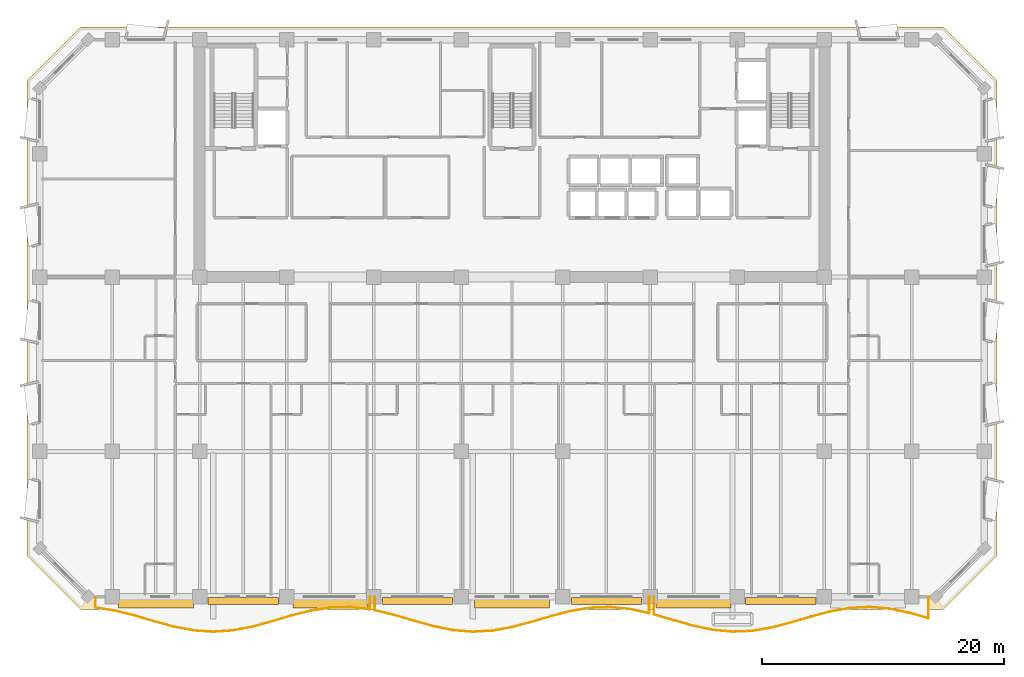
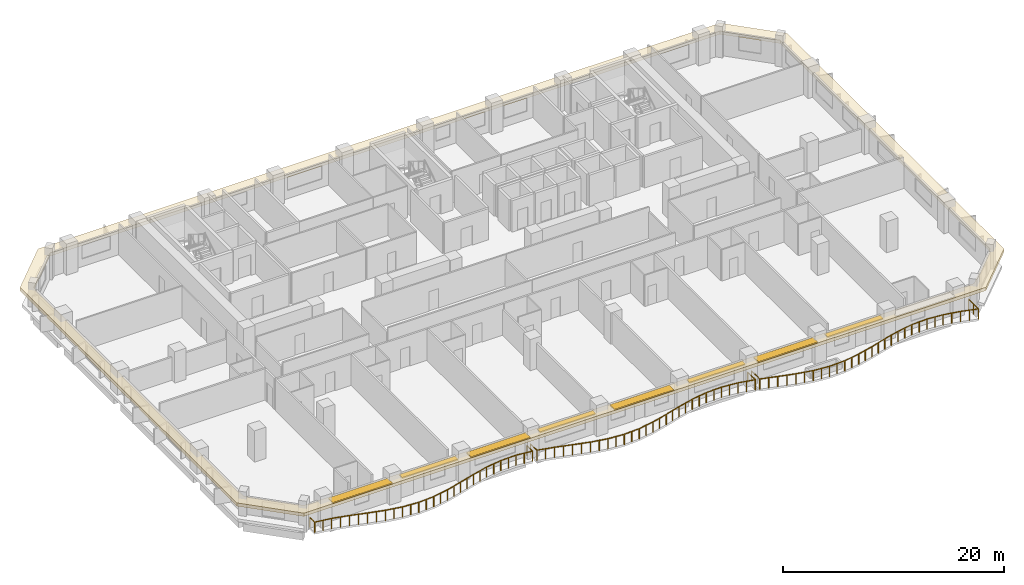
# One storey, part 11 of 15: 8 shading devices, 3 railings, 1 covering.
"""IFC4 building model written with IfcOpenShell, lengths in metres."""

from ifc_helpers import new_model, si_unit, direction, frame, origin, origin_2d, place, context, subcontext, project, spatial, polyline, rectangle, outline, extrude, material, layer, layer_set, type_object, element, save


model = new_model("IFC4")

# Units and contexts
model_context = context("Model", 3, precision=1e-05, world=origin(), true_north=direction((0.0, 1.0)))
body_context = subcontext(model_context, "Body", "Model", "MODEL_VIEW")
ifc_project = project(units=[si_unit("LENGTHUNIT", "METRE"), si_unit("AREAUNIT", "SQUARE_METRE"), si_unit("VOLUMEUNIT", "CUBIC_METRE"), si_unit("PLANEANGLEUNIT", "RADIAN"), si_unit("MASSUNIT", "GRAM", prefix="KILO")], contexts=[model_context])

# Site, building, storey
site_placement = place(None, origin())
site = spatial("IfcSite", under=ifc_project, at=site_placement, CompositionType="ELEMENT")
building_placement = place(site_placement, origin())
building = spatial("IfcBuilding", under=site, at=building_placement, Name="Kaelvorn Grand Hotel", CompositionType="ELEMENT")
storey_placement = place(building_placement, frame((0.0, 0.0, 180.949951171875)))
storey = spatial("IfcBuildingStorey", under=building, at=storey_placement, Name="L44", CompositionType="ELEMENT", Elevation=180.949951171875)

# Covering
ifc_material_1 = material(Name="Precast concrete C45/55", Category="concrete")
ifc_layer_1 = layer(ifc_material_1, 0.260009765625)
ifc_layer_set_1 = layer_set([ifc_layer_1], Name="Precast concrete C45/55")
covering_type = type_object("IfcCoveringType", Name="COV-BAND-STREAMLINE-HEAD", PredefinedType="CLADDING", material=ifc_layer_set_1)
covering_placement = place(storey_placement, frame((0.0, 0.0, 2.27001953125)))
element("IfcCovering", 1, at=covering_placement, inside=storey, type_object=covering_type, Name="L44 Streamline Moderne Wraparound Horizontal Eyebrow Band", PredefinedType="CLADDING", context=body_context, shape_type="SweptSolid", body=[
    extrude(outline(polyline([(6.389892578125, 1.949951171875), (77.610107421875, 1.949951171875), (82.050048828125, 6.389892578125), (82.050048828125, 45.610107421875), (77.610107421875, 50.050048828125), (6.389892578125, 50.050048828125), (1.949951171875, 45.610107421875), (1.949951171875, 6.389892578125), (6.389892578125, 1.949951171875)]), holes=[polyline([(7.02001953125, 3.030029296875), (76.97998046875, 3.030029296875), (80.969970703125, 7.02001953125), (80.969970703125, 44.97998046875), (76.97998046875, 48.969970703125), (7.02001953125, 48.969970703125), (3.030029296875, 44.97998046875), (3.030029296875, 7.02001953125), (7.02001953125, 3.030029296875)])]), origin(), (0.0, 0.0, 1.0), 0.360107421875),
])

# Railings
ifc_material_2 = material(Name="Stainless Steel", Category="steel")
railing_type = type_object("IfcRailingType", Name="RL-BALC-1150", PredefinedType="BALUSTRADE", material=ifc_material_2)
railing_1_placement = place(storey_placement, frame((7.60009765625, 3.0, 0.0)))
element("IfcRailing", 2, at=railing_1_placement, inside=storey, type_object=railing_type, Name="L44 Scalloped Wave Balcony Balustrade GR1-1", PredefinedType="BALUSTRADE", context=body_context, shape_type="SweptSolid", body=[
    extrude(rectangle(XDim=0.048095703125, YDim=0.048095703125, at=origin_2d()), frame((0.0, 0.0, 1.1259765625), z_axis=(0.0, -1.0, 0.0), x_axis=(1.0, 0.0, 0.0)), (0.0, 0.0, 1.0), 0.900146484375),
    extrude(rectangle(XDim=0.048095703125, YDim=0.048095703125, at=origin_2d()), frame((0.0, -0.900146484375, 1.1259765625), z_axis=(0.988307858042, -0.152471563682, 0.0), x_axis=(0.152471563682, 0.988307858042, 0.0)), (0.0, 0.0, 1.0), 1.637939453125),
    extrude(rectangle(XDim=0.048095703125, YDim=0.048095703125, at=origin_2d()), frame((1.618896484375, -1.14990234375, 1.1259765625), z_axis=(0.969728239304, -0.244186694758, 0.0), x_axis=(0.244186694758, 0.969728239304, 0.0)), (0.0, 0.0, 1.0), 1.669677734375),
    extrude(rectangle(XDim=0.048095703125, YDim=0.048095703125, at=origin_2d()), frame((3.238037109375, -1.5576171875, 1.1259765625), z_axis=(0.959259470677, -0.282526579133, 0.0), x_axis=(0.282526579133, 0.959259470677, 0.0)), (0.0, 0.0, 1.0), 1.687744140625),
    extrude(rectangle(XDim=0.048095703125, YDim=0.048095703125, at=origin_2d()), frame((4.85693359375, -2.034423828125, 1.1259765625), z_axis=(0.964679853883, -0.26342509279, 0.0), x_axis=(0.26342509279, 0.964679853883, 0.0)), (0.0, 0.0, 1.0), 1.678466796875),
    extrude(rectangle(XDim=0.048095703125, YDim=0.048095703125, at=origin_2d()), frame((6.47607421875, -2.4765625, 1.1259765625), z_axis=(0.982044449616, -0.188649672619, 0.0), x_axis=(0.188649672619, 0.982044449616, 0.0)), (0.0, 0.0, 1.0), 1.648681640625),
    extrude(rectangle(XDim=0.048095703125, YDim=0.048095703125, at=origin_2d()), frame((8.09521484375, -2.78759765625, 1.1259765625), z_axis=(0.997602472626, -0.069204816379, 0.0), x_axis=(0.069204816379, 0.997602472626, 0.0)), (0.0, 0.0, 1.0), 1.622802734375),
    extrude(rectangle(XDim=0.048095703125, YDim=0.048095703125, at=origin_2d()), frame((9.714111328125, -2.89990234375, 1.1259765625), z_axis=(0.997665093232, 0.068296132739, 0.0), x_axis=(-0.068296132739, 0.997665093232, 0.0)), (0.0, 0.0, 1.0), 1.623046875),
    extrude(rectangle(XDim=0.048095703125, YDim=0.048095703125, at=origin_2d()), frame((11.333251953125, -2.7890625, 1.1259765625), z_axis=(0.982181374251, 0.187935489132, 0.0), x_axis=(-0.187935489132, 0.982181374251, 0.0)), (0.0, 0.0, 1.0), 1.6484375),
    extrude(rectangle(XDim=0.048095703125, YDim=0.048095703125, at=origin_2d()), frame((12.952392578125, -2.479248046875, 1.1259765625), z_axis=(0.964780607215, 0.263055849471, 0.0), x_axis=(-0.263055849471, 0.964780607215, 0.0)), (0.0, 0.0, 1.0), 1.677978515625),
    extrude(rectangle(XDim=0.048095703125, YDim=0.048095703125, at=origin_2d()), frame((14.5712890625, -2.037841796875, 1.1259765625), z_axis=(0.959271015447, 0.282487378343, 0.0), x_axis=(-0.282487378343, 0.959271015447, 0.0)), (0.0, 0.0, 1.0), 1.68798828125),
    extrude(rectangle(XDim=0.048095703125, YDim=0.048095703125, at=origin_2d()), frame((16.1904296875, -1.56103515625, 1.1259765625), z_axis=(0.969580848493, 0.244771277391, 0.0), x_axis=(-0.244771277391, 0.969580848493, 0.0)), (0.0, 0.0, 1.0), 1.669677734375),
    extrude(rectangle(XDim=0.048095703125, YDim=0.048095703125, at=origin_2d()), frame((17.809326171875, -1.15234375, 1.1259765625), z_axis=(0.988176238823, 0.15332227831, 0.0), x_axis=(-0.15332227831, 0.988176238823, 0.0)), (0.0, 0.0, 1.0), 1.638427734375),
    extrude(rectangle(XDim=0.048095703125, YDim=0.048095703125, at=origin_2d()), frame((19.428466796875, -0.901123046875, 1.1259765625), z_axis=(0.999709108251, 0.024118434457, 0.0), x_axis=(-0.024118434457, 0.999709108251, 0.0)), (0.0, 0.0, 1.0), 1.61962890625),
    extrude(rectangle(XDim=0.048095703125, YDim=0.048095703125, at=origin_2d()), frame((21.047607421875, -0.862060546875, 1.1259765625), z_axis=(0.993780958286, -0.111352624341, 0.0), x_axis=(0.111352624341, 0.993780958286, 0.0)), (0.0, 0.0, 1.0), 1.62890625),
    extrude(rectangle(XDim=0.048095703125, YDim=0.048095703125, at=origin_2d()), frame((22.66650390625, -1.04345703125, 1.1259765625), z_axis=(0.0, 1.0, 0.0), x_axis=(-1.0, 0.0, 0.0)), (0.0, 0.0, 1.0), 1.04345703125),
    extrude(rectangle(XDim=0.0419921875, YDim=0.0419921875, at=origin_2d()), origin(), (0.0, 0.0, 1.0), 1.101806640625),
    extrude(rectangle(XDim=0.0419921875, YDim=0.0419921875, at=origin_2d()), frame((0.0, -0.900146484375, 0.0)), (0.0, 0.0, 1.0), 1.101806640625),
    extrude(rectangle(XDim=0.0419921875, YDim=0.0419921875, at=origin_2d()), frame((0.8095703125, -1.02490234375, 0.0)), (0.0, 0.0, 1.0), 1.101806640625),
    extrude(rectangle(XDim=0.0419921875, YDim=0.0419921875, at=origin_2d()), frame((1.618896484375, -1.14990234375, 0.0)), (0.0, 0.0, 1.0), 1.101806640625),
    extrude(rectangle(XDim=0.0419921875, YDim=0.0419921875, at=origin_2d()), frame((2.428466796875, -1.353759765625, 0.0)), (0.0, 0.0, 1.0), 1.101806640625),
    extrude(rectangle(XDim=0.0419921875, YDim=0.0419921875, at=origin_2d()), frame((3.238037109375, -1.5576171875, 0.0)), (0.0, 0.0, 1.0), 1.101806640625),
    extrude(rectangle(XDim=0.0419921875, YDim=0.0419921875, at=origin_2d()), frame((4.04736328125, -1.7958984375, 0.0)), (0.0, 0.0, 1.0), 1.101806640625),
    extrude(rectangle(XDim=0.0419921875, YDim=0.0419921875, at=origin_2d()), frame((4.85693359375, -2.034423828125, 0.0)), (0.0, 0.0, 1.0), 1.101806640625),
    extrude(rectangle(XDim=0.0419921875, YDim=0.0419921875, at=origin_2d()), frame((5.66650390625, -2.25537109375, 0.0)), (0.0, 0.0, 1.0), 1.101806640625),
    extrude(rectangle(XDim=0.0419921875, YDim=0.0419921875, at=origin_2d()), frame((6.47607421875, -2.4765625, 0.0)), (0.0, 0.0, 1.0), 1.101806640625),
    extrude(rectangle(XDim=0.0419921875, YDim=0.0419921875, at=origin_2d()), frame((7.28564453125, -2.632080078125, 0.0)), (0.0, 0.0, 1.0), 1.101806640625),
    extrude(rectangle(XDim=0.0419921875, YDim=0.0419921875, at=origin_2d()), frame((8.09521484375, -2.78759765625, 0.0)), (0.0, 0.0, 1.0), 1.101806640625),
    extrude(rectangle(XDim=0.0419921875, YDim=0.0419921875, at=origin_2d()), frame((8.90478515625, -2.84375, 0.0)), (0.0, 0.0, 1.0), 1.101806640625),
    extrude(rectangle(XDim=0.0419921875, YDim=0.0419921875, at=origin_2d()), frame((9.714111328125, -2.89990234375, 0.0)), (0.0, 0.0, 1.0), 1.101806640625),
    extrude(rectangle(XDim=0.0419921875, YDim=0.0419921875, at=origin_2d()), frame((10.523681640625, -2.844482421875, 0.0)), (0.0, 0.0, 1.0), 1.101806640625),
    extrude(rectangle(XDim=0.0419921875, YDim=0.0419921875, at=origin_2d()), frame((11.333251953125, -2.7890625, 0.0)), (0.0, 0.0, 1.0), 1.101806640625),
    extrude(rectangle(XDim=0.0419921875, YDim=0.0419921875, at=origin_2d()), frame((12.142822265625, -2.63427734375, 0.0)), (0.0, 0.0, 1.0), 1.101806640625),
    extrude(rectangle(XDim=0.0419921875, YDim=0.0419921875, at=origin_2d()), frame((12.952392578125, -2.479248046875, 0.0)), (0.0, 0.0, 1.0), 1.101806640625),
    extrude(rectangle(XDim=0.0419921875, YDim=0.0419921875, at=origin_2d()), frame((13.76171875, -2.258544921875, 0.0)), (0.0, 0.0, 1.0), 1.101806640625),
    extrude(rectangle(XDim=0.0419921875, YDim=0.0419921875, at=origin_2d()), frame((14.5712890625, -2.037841796875, 0.0)), (0.0, 0.0, 1.0), 1.101806640625),
    extrude(rectangle(XDim=0.0419921875, YDim=0.0419921875, at=origin_2d()), frame((15.380859375, -1.79931640625, 0.0)), (0.0, 0.0, 1.0), 1.101806640625),
    extrude(rectangle(XDim=0.0419921875, YDim=0.0419921875, at=origin_2d()), frame((16.1904296875, -1.56103515625, 0.0)), (0.0, 0.0, 1.0), 1.101806640625),
    extrude(rectangle(XDim=0.0419921875, YDim=0.0419921875, at=origin_2d()), frame((17.0, -1.356689453125, 0.0)), (0.0, 0.0, 1.0), 1.101806640625),
    extrude(rectangle(XDim=0.0419921875, YDim=0.0419921875, at=origin_2d()), frame((17.809326171875, -1.15234375, 0.0)), (0.0, 0.0, 1.0), 1.101806640625),
    extrude(rectangle(XDim=0.0419921875, YDim=0.0419921875, at=origin_2d()), frame((18.618896484375, -1.02685546875, 0.0)), (0.0, 0.0, 1.0), 1.101806640625),
    extrude(rectangle(XDim=0.0419921875, YDim=0.0419921875, at=origin_2d()), frame((19.428466796875, -0.901123046875, 0.0)), (0.0, 0.0, 1.0), 1.101806640625),
    extrude(rectangle(XDim=0.0419921875, YDim=0.0419921875, at=origin_2d()), frame((20.238037109375, -0.881591796875, 0.0)), (0.0, 0.0, 1.0), 1.101806640625),
    extrude(rectangle(XDim=0.0419921875, YDim=0.0419921875, at=origin_2d()), frame((21.047607421875, -0.862060546875, 0.0)), (0.0, 0.0, 1.0), 1.101806640625),
    extrude(rectangle(XDim=0.0419921875, YDim=0.0419921875, at=origin_2d()), frame((21.85693359375, -0.95263671875, 0.0)), (0.0, 0.0, 1.0), 1.101806640625),
    extrude(rectangle(XDim=0.0419921875, YDim=0.0419921875, at=origin_2d()), frame((22.66650390625, -1.04345703125, 0.0)), (0.0, 0.0, 1.0), 1.101806640625),
    extrude(rectangle(XDim=0.0419921875, YDim=0.0419921875, at=origin_2d()), frame((22.66650390625, 0.0, 0.0)), (0.0, 0.0, 1.0), 1.101806640625),
])
railing_2_placement = place(storey_placement, frame((30.666748046875, 3.0, 0.0)))
element("IfcRailing", 3, at=railing_2_placement, inside=storey, type_object=railing_type, Name="L44 Scalloped Wave Balcony Balustrade GR1-2", PredefinedType="BALUSTRADE", context=body_context, shape_type="SweptSolid", body=[
    extrude(rectangle(XDim=0.048095703125, YDim=0.048095703125, at=origin_2d()), frame((0.0, 0.0, 1.1259765625), z_axis=(0.0, -1.0, 0.0), x_axis=(1.0, 0.0, 0.0)), (0.0, 0.0, 1.0), 1.11865234375),
    extrude(rectangle(XDim=0.048095703125, YDim=0.048095703125, at=origin_2d()), frame((0.0, -1.11865234375, 1.1259765625), z_axis=(0.9713283842, -0.237741813838, 0.0), x_axis=(0.237741813838, 0.9713283842, 0.0)), (0.0, 0.0, 1.0), 1.666748046875),
    extrude(rectangle(XDim=0.048095703125, YDim=0.048095703125, at=origin_2d()), frame((1.618896484375, -1.514892578125, 1.1259765625), z_axis=(0.959623156728, -0.281288814337, 0.0), x_axis=(0.281288814337, 0.959623156728, 0.0)), (0.0, 0.0, 1.0), 1.687255859375),
    extrude(rectangle(XDim=0.048095703125, YDim=0.048095703125, at=origin_2d()), frame((3.238037109375, -1.989501953125, 1.1259765625), z_axis=(0.963526234918, -0.267613890941, 0.0), x_axis=(0.267613890941, 0.963526234918, 0.0)), (0.0, 0.0, 1.0), 1.680419921875),
    extrude(rectangle(XDim=0.048095703125, YDim=0.048095703125, at=origin_2d()), frame((4.857177734375, -2.439208984375, 1.1259765625), z_axis=(0.980215115577, -0.197935159065, 0.0), x_axis=(0.197935159065, 0.980215115577, 0.0)), (0.0, 0.0, 1.0), 1.651611328125),
    extrude(rectangle(XDim=0.048095703125, YDim=0.048095703125, at=origin_2d()), frame((6.47607421875, -2.76611328125, 1.1259765625), z_axis=(0.996652705427, -0.081751971012, 0.0), x_axis=(0.081751971012, 0.996652705427, 0.0)), (0.0, 0.0, 1.0), 1.62451171875),
    extrude(rectangle(XDim=0.048095703125, YDim=0.048095703125, at=origin_2d()), frame((8.09521484375, -2.89892578125, 1.1259765625), z_axis=(0.998455252645, 0.055561753616, 0.0), x_axis=(-0.055561753616, 0.998455252645, 0.0)), (0.0, 0.0, 1.0), 1.621337890625),
    extrude(rectangle(XDim=0.048095703125, YDim=0.048095703125, at=origin_2d()), frame((9.714111328125, -2.808837890625, 1.1259765625), z_axis=(0.983969459858, 0.178337046253, 0.0), x_axis=(-0.178337046253, 0.983969459858, 0.0)), (0.0, 0.0, 1.0), 1.6455078125),
    extrude(rectangle(XDim=0.048095703125, YDim=0.048095703125, at=origin_2d()), frame((11.333251953125, -2.515380859375, 1.1259765625), z_axis=(0.966072760568, 0.258270054959, 0.0), x_axis=(-0.258270054959, 0.966072760568, 0.0)), (0.0, 0.0, 1.0), 1.676025390625),
    extrude(rectangle(XDim=0.048095703125, YDim=0.048095703125, at=origin_2d()), frame((12.952392578125, -2.08251953125, 1.1259765625), z_axis=(0.959063249993, 0.283191953474, 0.0), x_axis=(-0.283191953474, 0.959063249993, 0.0)), (0.0, 0.0, 1.0), 1.68798828125),
    extrude(rectangle(XDim=0.048095703125, YDim=0.048095703125, at=origin_2d()), frame((14.5712890625, -1.6044921875, 1.1259765625), z_axis=(0.968082211029, 0.250632864345, 0.0), x_axis=(-0.250632864345, 0.968082211029, 0.0)), (0.0, 0.0, 1.0), 1.672607421875),
    extrude(rectangle(XDim=0.048095703125, YDim=0.048095703125, at=origin_2d()), frame((16.1904296875, -1.185302734375, 1.1259765625), z_axis=(0.986470210909, 0.163940608117, 0.0), x_axis=(-0.163940608117, 0.986470210909, 0.0)), (0.0, 0.0, 1.0), 1.64111328125),
    extrude(rectangle(XDim=0.048095703125, YDim=0.048095703125, at=origin_2d()), frame((17.809326171875, -0.916259765625, 1.1259765625), z_axis=(0.999312768097, 0.037067391579, 0.0), x_axis=(-0.037067391579, 0.999312768097, 0.0)), (0.0, 0.0, 1.0), 1.620361328125),
    extrude(rectangle(XDim=0.048095703125, YDim=0.048095703125, at=origin_2d()), frame((19.428466796875, -0.856201171875, 1.1259765625), z_axis=(0.995069818667, -0.099176892361, 0.0), x_axis=(0.099176892361, 0.995069818667, 0.0)), (0.0, 0.0, 1.0), 1.627197265625),
    extrude(rectangle(XDim=0.048095703125, YDim=0.048095703125, at=origin_2d()), frame((21.047607421875, -1.017578125, 1.1259765625), z_axis=(0.977618649076, -0.210384830679, 0.0), x_axis=(0.210384830679, 0.977618649076, 0.0)), (0.0, 0.0, 1.0), 1.656005859375),
    extrude(rectangle(XDim=0.048095703125, YDim=0.048095703125, at=origin_2d()), frame((22.66650390625, -1.365966796875, 1.1259765625), z_axis=(0.0, 1.0, 0.0), x_axis=(-1.0, 0.0, 0.0)), (0.0, 0.0, 1.0), 1.365966796875),
    extrude(rectangle(XDim=0.0419921875, YDim=0.0419921875, at=origin_2d()), origin(), (0.0, 0.0, 1.0), 1.101806640625),
    extrude(rectangle(XDim=0.0419921875, YDim=0.0419921875, at=origin_2d()), frame((0.0, -1.11865234375, 0.0)), (0.0, 0.0, 1.0), 1.101806640625),
    extrude(rectangle(XDim=0.0419921875, YDim=0.0419921875, at=origin_2d()), frame((0.8095703125, -1.31689453125, 0.0)), (0.0, 0.0, 1.0), 1.101806640625),
    extrude(rectangle(XDim=0.0419921875, YDim=0.0419921875, at=origin_2d()), frame((1.618896484375, -1.514892578125, 0.0)), (0.0, 0.0, 1.0), 1.101806640625),
    extrude(rectangle(XDim=0.0419921875, YDim=0.0419921875, at=origin_2d()), frame((2.428466796875, -1.752197265625, 0.0)), (0.0, 0.0, 1.0), 1.101806640625),
    extrude(rectangle(XDim=0.0419921875, YDim=0.0419921875, at=origin_2d()), frame((3.238037109375, -1.989501953125, 0.0)), (0.0, 0.0, 1.0), 1.101806640625),
    extrude(rectangle(XDim=0.0419921875, YDim=0.0419921875, at=origin_2d()), frame((4.047607421875, -2.21435546875, 0.0)), (0.0, 0.0, 1.0), 1.101806640625),
    extrude(rectangle(XDim=0.0419921875, YDim=0.0419921875, at=origin_2d()), frame((4.857177734375, -2.439208984375, 0.0)), (0.0, 0.0, 1.0), 1.101806640625),
    extrude(rectangle(XDim=0.0419921875, YDim=0.0419921875, at=origin_2d()), frame((5.66650390625, -2.6025390625, 0.0)), (0.0, 0.0, 1.0), 1.101806640625),
    extrude(rectangle(XDim=0.0419921875, YDim=0.0419921875, at=origin_2d()), frame((6.47607421875, -2.76611328125, 0.0)), (0.0, 0.0, 1.0), 1.101806640625),
    extrude(rectangle(XDim=0.0419921875, YDim=0.0419921875, at=origin_2d()), frame((7.28564453125, -2.83251953125, 0.0)), (0.0, 0.0, 1.0), 1.101806640625),
    extrude(rectangle(XDim=0.0419921875, YDim=0.0419921875, at=origin_2d()), frame((8.09521484375, -2.89892578125, 0.0)), (0.0, 0.0, 1.0), 1.101806640625),
    extrude(rectangle(XDim=0.0419921875, YDim=0.0419921875, at=origin_2d()), frame((8.90478515625, -2.85400390625, 0.0)), (0.0, 0.0, 1.0), 1.101806640625),
    extrude(rectangle(XDim=0.0419921875, YDim=0.0419921875, at=origin_2d()), frame((9.714111328125, -2.808837890625, 0.0)), (0.0, 0.0, 1.0), 1.101806640625),
    extrude(rectangle(XDim=0.0419921875, YDim=0.0419921875, at=origin_2d()), frame((10.523681640625, -2.662109375, 0.0)), (0.0, 0.0, 1.0), 1.101806640625),
    extrude(rectangle(XDim=0.0419921875, YDim=0.0419921875, at=origin_2d()), frame((11.333251953125, -2.515380859375, 0.0)), (0.0, 0.0, 1.0), 1.101806640625),
    extrude(rectangle(XDim=0.0419921875, YDim=0.0419921875, at=origin_2d()), frame((12.142822265625, -2.298828125, 0.0)), (0.0, 0.0, 1.0), 1.101806640625),
    extrude(rectangle(XDim=0.0419921875, YDim=0.0419921875, at=origin_2d()), frame((12.952392578125, -2.08251953125, 0.0)), (0.0, 0.0, 1.0), 1.101806640625),
    extrude(rectangle(XDim=0.0419921875, YDim=0.0419921875, at=origin_2d()), frame((13.76171875, -1.843505859375, 0.0)), (0.0, 0.0, 1.0), 1.101806640625),
    extrude(rectangle(XDim=0.0419921875, YDim=0.0419921875, at=origin_2d()), frame((14.5712890625, -1.6044921875, 0.0)), (0.0, 0.0, 1.0), 1.101806640625),
    extrude(rectangle(XDim=0.0419921875, YDim=0.0419921875, at=origin_2d()), frame((15.380859375, -1.39501953125, 0.0)), (0.0, 0.0, 1.0), 1.101806640625),
    extrude(rectangle(XDim=0.0419921875, YDim=0.0419921875, at=origin_2d()), frame((16.1904296875, -1.185302734375, 0.0)), (0.0, 0.0, 1.0), 1.101806640625),
    extrude(rectangle(XDim=0.0419921875, YDim=0.0419921875, at=origin_2d()), frame((17.0, -1.05078125, 0.0)), (0.0, 0.0, 1.0), 1.101806640625),
    extrude(rectangle(XDim=0.0419921875, YDim=0.0419921875, at=origin_2d()), frame((17.809326171875, -0.916259765625, 0.0)), (0.0, 0.0, 1.0), 1.101806640625),
    extrude(rectangle(XDim=0.0419921875, YDim=0.0419921875, at=origin_2d()), frame((18.618896484375, -0.88623046875, 0.0)), (0.0, 0.0, 1.0), 1.101806640625),
    extrude(rectangle(XDim=0.0419921875, YDim=0.0419921875, at=origin_2d()), frame((19.428466796875, -0.856201171875, 0.0)), (0.0, 0.0, 1.0), 1.101806640625),
    extrude(rectangle(XDim=0.0419921875, YDim=0.0419921875, at=origin_2d()), frame((20.238037109375, -0.93701171875, 0.0)), (0.0, 0.0, 1.0), 1.101806640625),
    extrude(rectangle(XDim=0.0419921875, YDim=0.0419921875, at=origin_2d()), frame((21.047607421875, -1.017578125, 0.0)), (0.0, 0.0, 1.0), 1.101806640625),
    extrude(rectangle(XDim=0.0419921875, YDim=0.0419921875, at=origin_2d()), frame((21.85693359375, -1.19189453125, 0.0)), (0.0, 0.0, 1.0), 1.101806640625),
    extrude(rectangle(XDim=0.0419921875, YDim=0.0419921875, at=origin_2d()), frame((22.66650390625, -1.365966796875, 0.0)), (0.0, 0.0, 1.0), 1.101806640625),
    extrude(rectangle(XDim=0.0419921875, YDim=0.0419921875, at=origin_2d()), frame((22.66650390625, 0.0, 0.0)), (0.0, 0.0, 1.0), 1.101806640625),
])
railing_3_placement = place(storey_placement, frame((53.7333984375, 3.0, 0.0)))
element("IfcRailing", 4, at=railing_3_placement, inside=storey, type_object=railing_type, Name="L44 Scalloped Wave Balcony Balustrade GR1-3", PredefinedType="BALUSTRADE", context=body_context, shape_type="SweptSolid", body=[
    extrude(rectangle(XDim=0.048095703125, YDim=0.048095703125, at=origin_2d()), frame((0.0, 0.0, 1.1259765625), z_axis=(0.0, -1.0, 0.0), x_axis=(1.0, 0.0, 0.0)), (0.0, 0.0, 1.0), 1.47265625),
    extrude(rectangle(XDim=0.048095703125, YDim=0.048095703125, at=origin_2d()), frame((0.0, -1.47265625, 1.1259765625), z_axis=(0.960079420187, -0.279727558408, 0.0), x_axis=(0.279727558408, 0.960079420187, 0.0)), (0.0, 0.0, 1.0), 1.686279296875),
    extrude(rectangle(XDim=0.048095703125, YDim=0.048095703125, at=origin_2d()), frame((1.618896484375, -1.9443359375, 1.1259765625), z_axis=(0.962508960519, -0.271249886491, 0.0), x_axis=(0.271249886491, 0.962508960519, 0.0)), (0.0, 0.0, 1.0), 1.68212890625),
    extrude(rectangle(XDim=0.048095703125, YDim=0.048095703125, at=origin_2d()), frame((3.238037109375, -2.400634765625, 1.1259765625), z_axis=(0.978407110046, -0.206687026715, 0.0), x_axis=(0.206687026715, 0.978407110046, 0.0)), (0.0, 0.0, 1.0), 1.65478515625),
    extrude(rectangle(XDim=0.048095703125, YDim=0.048095703125, at=origin_2d()), frame((4.857177734375, -2.74267578125, 1.1259765625), z_axis=(0.995559348542, -0.094135984246, 0.0), x_axis=(0.094135984246, 0.995559348542, 0.0)), (0.0, 0.0, 1.0), 1.626220703125),
    extrude(rectangle(XDim=0.048095703125, YDim=0.048095703125, at=origin_2d()), frame((6.47607421875, -2.895751953125, 1.1259765625), z_axis=(0.99909079622, 0.042633096401, 0.0), x_axis=(-0.042633096401, 0.99909079622, 0.0)), (0.0, 0.0, 1.0), 1.62060546875),
    extrude(rectangle(XDim=0.048095703125, YDim=0.048095703125, at=origin_2d()), frame((8.09521484375, -2.82666015625, 1.1259765625), z_axis=(0.985739432849, 0.168278847532, 0.0), x_axis=(-0.168278847532, 0.985739432849, 0.0)), (0.0, 0.0, 1.0), 1.642333984375),
    extrude(rectangle(XDim=0.048095703125, YDim=0.048095703125, at=origin_2d()), frame((9.714111328125, -2.55029296875, 1.1259765625), z_axis=(0.967441989908, 0.25309286075, 0.0), x_axis=(-0.25309286075, 0.967441989908, 0.0)), (0.0, 0.0, 1.0), 1.673583984375),
    extrude(rectangle(XDim=0.048095703125, YDim=0.048095703125, at=origin_2d()), frame((11.333251953125, -2.126708984375, 1.1259765625), z_axis=(0.959074846834, 0.283152676433, 0.0), x_axis=(-0.283152676433, 0.959074846834, 0.0)), (0.0, 0.0, 1.0), 1.688232421875),
    extrude(rectangle(XDim=0.048095703125, YDim=0.048095703125, at=origin_2d()), frame((12.952392578125, -1.648681640625, 1.1259765625), z_axis=(0.966642622389, 0.256128953029, 0.0), x_axis=(-0.256128953029, 0.966642622389, 0.0)), (0.0, 0.0, 1.0), 1.6748046875),
    extrude(rectangle(XDim=0.048095703125, YDim=0.048095703125, at=origin_2d()), frame((14.5712890625, -1.2197265625, 1.1259765625), z_axis=(0.984716220837, 0.174166484777, 0.0), x_axis=(-0.174166484777, 0.984716220837, 0.0)), (0.0, 0.0, 1.0), 1.644287109375),
    extrude(rectangle(XDim=0.048095703125, YDim=0.048095703125, at=origin_2d()), frame((16.1904296875, -0.933349609375, 1.1259765625), z_axis=(0.998741801419, 0.050147922176, 0.0), x_axis=(-0.050147922176, 0.998741801419, 0.0)), (0.0, 0.0, 1.0), 1.62109375),
    extrude(rectangle(XDim=0.048095703125, YDim=0.048095703125, at=origin_2d()), frame((17.8095703125, -0.85205078125, 1.1259765625), z_axis=(0.996196489167, -0.087135268243, 0.0), x_axis=(0.087135268243, 0.996196489167, 0.0)), (0.0, 0.0, 1.0), 1.625),
    extrude(rectangle(XDim=0.048095703125, YDim=0.048095703125, at=origin_2d()), frame((19.428466796875, -0.99365234375, 1.1259765625), z_axis=(0.979469052687, -0.201594580355, 0.0), x_axis=(0.201594580355, 0.979469052687, 0.0)), (0.0, 0.0, 1.0), 1.653076171875),
    extrude(rectangle(XDim=0.048095703125, YDim=0.048095703125, at=origin_2d()), frame((21.047607421875, -1.326904296875, 1.1259765625), z_axis=(0.963027343194, -0.269403667867, 0.0), x_axis=(0.269403667867, 0.963027343194, 0.0)), (0.0, 0.0, 1.0), 1.68115234375),
    extrude(rectangle(XDim=0.048095703125, YDim=0.048095703125, at=origin_2d()), frame((22.66650390625, -1.77978515625, 1.1259765625), z_axis=(0.0, 1.0, 0.0), x_axis=(-1.0, 0.0, 0.0)), (0.0, 0.0, 1.0), 1.77978515625),
    extrude(rectangle(XDim=0.0419921875, YDim=0.0419921875, at=origin_2d()), origin(), (0.0, 0.0, 1.0), 1.101806640625),
    extrude(rectangle(XDim=0.0419921875, YDim=0.0419921875, at=origin_2d()), frame((0.0, -1.47265625, 0.0)), (0.0, 0.0, 1.0), 1.101806640625),
    extrude(rectangle(XDim=0.0419921875, YDim=0.0419921875, at=origin_2d()), frame((0.8095703125, -1.70849609375, 0.0)), (0.0, 0.0, 1.0), 1.101806640625),
    extrude(rectangle(XDim=0.0419921875, YDim=0.0419921875, at=origin_2d()), frame((1.618896484375, -1.9443359375, 0.0)), (0.0, 0.0, 1.0), 1.101806640625),
    extrude(rectangle(XDim=0.0419921875, YDim=0.0419921875, at=origin_2d()), frame((2.428466796875, -2.17236328125, 0.0)), (0.0, 0.0, 1.0), 1.101806640625),
    extrude(rectangle(XDim=0.0419921875, YDim=0.0419921875, at=origin_2d()), frame((3.238037109375, -2.400634765625, 0.0)), (0.0, 0.0, 1.0), 1.101806640625),
    extrude(rectangle(XDim=0.0419921875, YDim=0.0419921875, at=origin_2d()), frame((4.047607421875, -2.57177734375, 0.0)), (0.0, 0.0, 1.0), 1.101806640625),
    extrude(rectangle(XDim=0.0419921875, YDim=0.0419921875, at=origin_2d()), frame((4.857177734375, -2.74267578125, 0.0)), (0.0, 0.0, 1.0), 1.101806640625),
    extrude(rectangle(XDim=0.0419921875, YDim=0.0419921875, at=origin_2d()), frame((5.66650390625, -2.8193359375, 0.0)), (0.0, 0.0, 1.0), 1.101806640625),
    extrude(rectangle(XDim=0.0419921875, YDim=0.0419921875, at=origin_2d()), frame((6.47607421875, -2.895751953125, 0.0)), (0.0, 0.0, 1.0), 1.101806640625),
    extrude(rectangle(XDim=0.0419921875, YDim=0.0419921875, at=origin_2d()), frame((7.28564453125, -2.861328125, 0.0)), (0.0, 0.0, 1.0), 1.101806640625),
    extrude(rectangle(XDim=0.0419921875, YDim=0.0419921875, at=origin_2d()), frame((8.09521484375, -2.82666015625, 0.0)), (0.0, 0.0, 1.0), 1.101806640625),
    extrude(rectangle(XDim=0.0419921875, YDim=0.0419921875, at=origin_2d()), frame((8.90478515625, -2.6884765625, 0.0)), (0.0, 0.0, 1.0), 1.101806640625),
    extrude(rectangle(XDim=0.0419921875, YDim=0.0419921875, at=origin_2d()), frame((9.714111328125, -2.55029296875, 0.0)), (0.0, 0.0, 1.0), 1.101806640625),
    extrude(rectangle(XDim=0.0419921875, YDim=0.0419921875, at=origin_2d()), frame((10.523681640625, -2.33837890625, 0.0)), (0.0, 0.0, 1.0), 1.101806640625),
    extrude(rectangle(XDim=0.0419921875, YDim=0.0419921875, at=origin_2d()), frame((11.333251953125, -2.126708984375, 0.0)), (0.0, 0.0, 1.0), 1.101806640625),
    extrude(rectangle(XDim=0.0419921875, YDim=0.0419921875, at=origin_2d()), frame((12.142822265625, -1.8876953125, 0.0)), (0.0, 0.0, 1.0), 1.101806640625),
    extrude(rectangle(XDim=0.0419921875, YDim=0.0419921875, at=origin_2d()), frame((12.952392578125, -1.648681640625, 0.0)), (0.0, 0.0, 1.0), 1.101806640625),
    extrude(rectangle(XDim=0.0419921875, YDim=0.0419921875, at=origin_2d()), frame((13.76171875, -1.43408203125, 0.0)), (0.0, 0.0, 1.0), 1.101806640625),
    extrude(rectangle(XDim=0.0419921875, YDim=0.0419921875, at=origin_2d()), frame((14.5712890625, -1.2197265625, 0.0)), (0.0, 0.0, 1.0), 1.101806640625),
    extrude(rectangle(XDim=0.0419921875, YDim=0.0419921875, at=origin_2d()), frame((15.380859375, -1.07666015625, 0.0)), (0.0, 0.0, 1.0), 1.101806640625),
    extrude(rectangle(XDim=0.0419921875, YDim=0.0419921875, at=origin_2d()), frame((16.1904296875, -0.933349609375, 0.0)), (0.0, 0.0, 1.0), 1.101806640625),
    extrude(rectangle(XDim=0.0419921875, YDim=0.0419921875, at=origin_2d()), frame((17.0, -0.892578125, 0.0)), (0.0, 0.0, 1.0), 1.101806640625),
    extrude(rectangle(XDim=0.0419921875, YDim=0.0419921875, at=origin_2d()), frame((17.8095703125, -0.85205078125, 0.0)), (0.0, 0.0, 1.0), 1.101806640625),
    extrude(rectangle(XDim=0.0419921875, YDim=0.0419921875, at=origin_2d()), frame((18.619140625, -0.9228515625, 0.0)), (0.0, 0.0, 1.0), 1.101806640625),
    extrude(rectangle(XDim=0.0419921875, YDim=0.0419921875, at=origin_2d()), frame((19.428466796875, -0.99365234375, 0.0)), (0.0, 0.0, 1.0), 1.101806640625),
    extrude(rectangle(XDim=0.0419921875, YDim=0.0419921875, at=origin_2d()), frame((20.238037109375, -1.16015625, 0.0)), (0.0, 0.0, 1.0), 1.101806640625),
    extrude(rectangle(XDim=0.0419921875, YDim=0.0419921875, at=origin_2d()), frame((21.047607421875, -1.326904296875, 0.0)), (0.0, 0.0, 1.0), 1.101806640625),
    extrude(rectangle(XDim=0.0419921875, YDim=0.0419921875, at=origin_2d()), frame((21.85693359375, -1.55322265625, 0.0)), (0.0, 0.0, 1.0), 1.101806640625),
    extrude(rectangle(XDim=0.0419921875, YDim=0.0419921875, at=origin_2d()), frame((22.66650390625, -1.77978515625, 0.0)), (0.0, 0.0, 1.0), 1.101806640625),
    extrude(rectangle(XDim=0.0419921875, YDim=0.0419921875, at=origin_2d()), frame((22.66650390625, -0.889892578125, 0.0)), (0.0, 0.0, 1.0), 1.101806640625),
    extrude(rectangle(XDim=0.0419921875, YDim=0.0419921875, at=origin_2d()), frame((22.66650390625, 0.0, 0.0)), (0.0, 0.0, 1.0), 1.101806640625),
])

# Shading devices
ifc_layer_2 = layer(ifc_material_1, 0.1201171875)
ifc_layer_set_2 = layer_set([ifc_layer_2], Name="Precast concrete C45/55")
shading_device_type_1 = type_object("IfcShadingDeviceType", Name="SHD-SUNSHADE-550", PredefinedType="USERDEFINED", material=ifc_layer_set_2)
for number, where, z_axis, x_axis, name in (
    (5, (19.800048828125, 2.64501953125, 2.510009765625), (0.0, 0.0, 1.0), (1.0, 0.0, 0.0), "L44 Horizontal Concrete Sunshade Band SS-03"),
    (6, (34.199951171875, 2.64501953125, 2.510009765625), (0.0, 0.0, 1.0), (1.0, 0.0, 0.0), "L44 Horizontal Concrete Sunshade Band SS-05"),
    (7, (49.800048828125, 2.64501953125, 2.510009765625), (0.0, 0.0, 1.0), (1.0, 0.0, 0.0), "L44 Horizontal Concrete Sunshade Band SS-07"),
    (8, (64.199951171875, 2.64501953125, 2.510009765625), (0.0, 0.0, 1.0), (1.0, 0.0, 0.0), "L44 Horizontal Concrete Sunshade Band SS-09"),
):
    element("IfcShadingDevice", number, at=place(storey_placement, frame(where, z_axis=z_axis, x_axis=x_axis)), inside=storey, type_object=shading_device_type_1, Name=name, ObjectType="SUNSHADE", PredefinedType="USERDEFINED", context=body_context, shape_type="SweptSolid", body=[
        extrude(rectangle(XDim=5.800048828125, YDim=0.550048828125, at=origin_2d()), origin(), (0.0, 0.0, 1.0), 0.1201171875),
    ])
ifc_layer_3 = layer(ifc_material_1, 0.139892578125)
ifc_layer_set_3 = layer_set([ifc_layer_3], Name="Precast concrete C45/55")
shading_device_type_2 = type_object("IfcShadingDeviceType", Name="SHD-SUNSHADE-850", PredefinedType="USERDEFINED", material=ifc_layer_set_3)
for number, where, z_axis, x_axis, name in (
    (9, (12.60009765625, 2.4951171875, 2.5), (0.0, 0.0, 1.0), (1.0, 0.0, 0.0), "L44 Horizontal Concrete Sunshade Band SS-02"),
    (10, (27.0, 2.4951171875, 2.5), (0.0, 0.0, 1.0), (1.0, 0.0, 0.0), "L44 Horizontal Concrete Sunshade Band SS-04"),
    (11, (42.0, 2.4951171875, 2.5), (0.0, 0.0, 1.0), (1.0, 0.0, 0.0), "L44 Horizontal Concrete Sunshade Band SS-06"),
    (12, (57.0, 2.4951171875, 2.5), (0.0, 0.0, 1.0), (1.0, 0.0, 0.0), "L44 Horizontal Concrete Sunshade Band SS-08"),
):
    element("IfcShadingDevice", number, at=place(storey_placement, frame(where, z_axis=z_axis, x_axis=x_axis)), inside=storey, type_object=shading_device_type_2, Name=name, ObjectType="SUNSHADE", PredefinedType="USERDEFINED", context=body_context, shape_type="SweptSolid", body=[
        extrude(rectangle(XDim=6.199951171875, YDim=0.85009765625, at=origin_2d()), origin(), (0.0, 0.0, 1.0), 0.139892578125),
    ])

save(model, "model.ifc")
